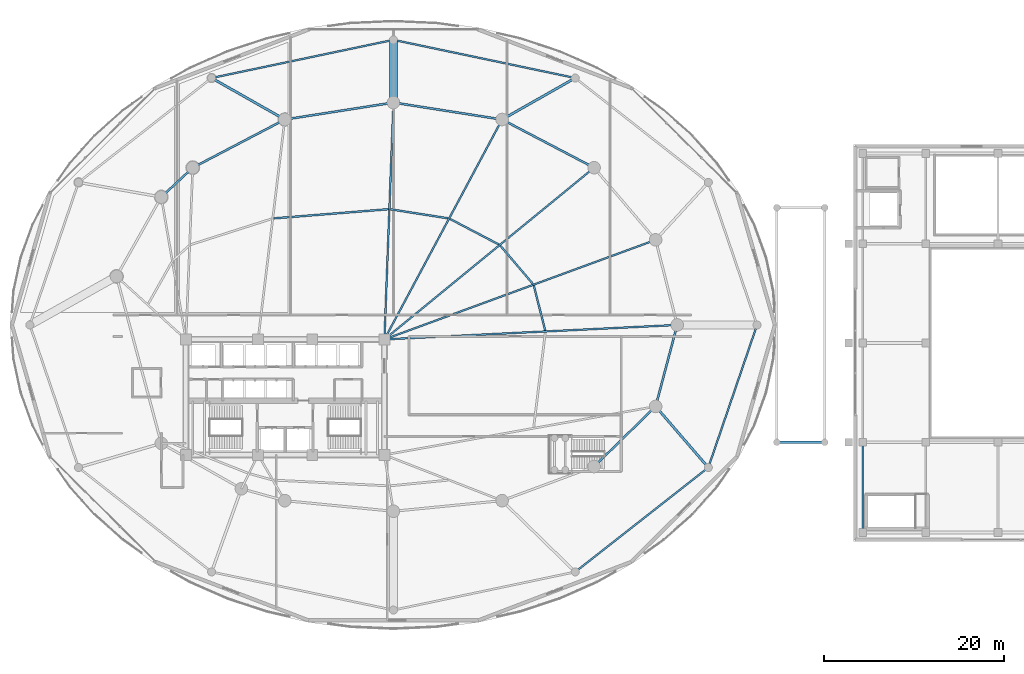
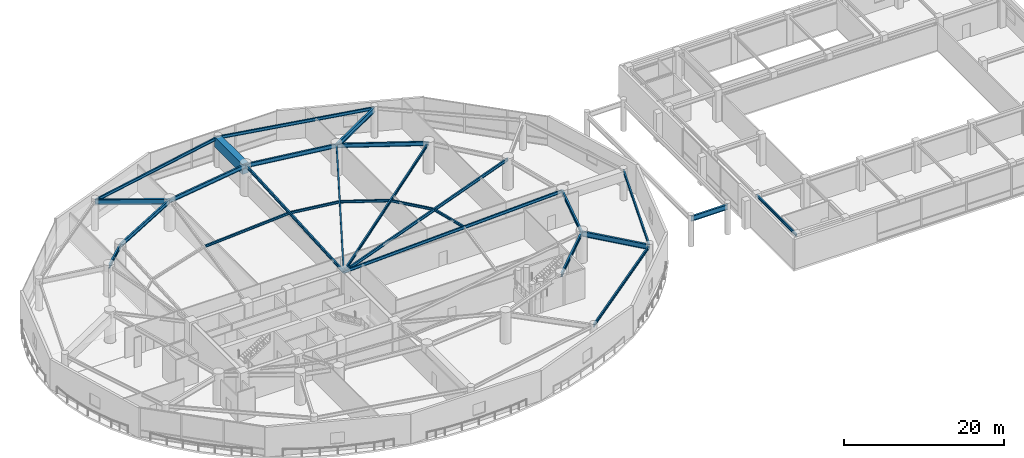
# One storey, part 10 of 36: 27 beams.
"""IFC4 building model written with IfcOpenShell, lengths in metres."""

from ifc_helpers import new_model, si_unit, direction, frame, origin, origin_2d, place, context, subcontext, project, spatial, rectangle, i_section, extrude, material, material_profile, profile_set, type_object, element, save


model = new_model("IFC4")

# Units and contexts
model_context = context("Model", 3, precision=1e-05, world=origin(), true_north=direction((0.0, 1.0)))
body_context = subcontext(model_context, "Body", "Model", "MODEL_VIEW")
ifc_project = project(units=[si_unit("LENGTHUNIT", "METRE"), si_unit("AREAUNIT", "SQUARE_METRE"), si_unit("VOLUMEUNIT", "CUBIC_METRE"), si_unit("PLANEANGLEUNIT", "RADIAN"), si_unit("MASSUNIT", "GRAM", prefix="KILO")], contexts=[model_context])

# Site, building, storey
site_placement = place(None, origin())
site = spatial("IfcSite", under=ifc_project, at=site_placement, CompositionType="ELEMENT")
building_placement = place(site_placement, origin())
building = spatial("IfcBuilding", under=site, at=building_placement, Name="Kazevale Care Tower and Concert Hall", CompositionType="ELEMENT")
storey_placement = place(building_placement, frame((0.0, 0.0, 14.39990234375)))
storey = spatial("IfcBuildingStorey", under=building, at=storey_placement, Name="L03", CompositionType="ELEMENT", Elevation=14.39990234375)

# Beams
ifc_material_1 = material(Name="Steel ASTM A572 Gr 50", Category="steel")
ifc_material_profile_1 = material_profile(ifc_material_1, i_section(OverallWidth=0.180908203125, OverallDepth=0.4169921875, WebThickness=0.010986328125, FlangeThickness=0.018310546875, at=origin_2d()), Name="W410x85")
ifc_profile_set_1 = profile_set([ifc_material_profile_1], Name="Steel ASTM A572 Gr 50")
beam_type_1 = type_object("IfcBeamType", Name="Concert Hall Secondary Beam W410x85", PredefinedType="BEAM", material=ifc_profile_set_1)
beam_1_placement = place(storey_placement, frame((97.0, 15.0, 4.3115234375), z_axis=(0.0, 1.0, 0.0), x_axis=(-1.0, 0.0, 0.0)))
element("IfcBeam", 1, at=beam_1_placement, inside=storey, type_object=beam_type_1, Name="beam:L03:hy:97_15", PredefinedType="BEAM", context=body_context, shape_type="SweptSolid", body=[
    extrude(i_section(OverallWidth=0.180908203125, OverallDepth=0.4169921875, WebThickness=0.010986328125, FlangeThickness=0.018310546875, at=origin_2d()), origin(), (0.0, 0.0, 1.0), 10.0),
])
ifc_material_profile_2 = material_profile(ifc_material_1, i_section(OverallWidth=0.194091796875, OverallDepth=0.468994140625, WebThickness=0.0126953125, FlangeThickness=0.0205078125, at=origin_2d()), Name="W460x106")
ifc_profile_set_2 = profile_set([ifc_material_profile_2], Name="Steel ASTM A572 Gr 50")
beam_type_2 = type_object("IfcBeamType", Name="Podium Floor Beam W460x106", PredefinedType="BEAM", material=ifc_profile_set_2)
for number, where, z_axis, x_axis, name in (
    (2, (65.14990234375, 65.3701171875, 4.28564453125), (-0.978668137727, 0.205447502293, 0.0), (-0.205447502293, -0.978668137727, 0.0), "beam:L03:podring:03"),
    (3, (45.0, 69.60009765625, 4.28564453125), (-0.978668137727, -0.205447502293, 0.0), (0.205447502293, -0.978668137727, 0.0), "beam:L03:podring:04"),
):
    element("IfcBeam", number, at=place(storey_placement, frame(where, z_axis=z_axis, x_axis=x_axis)), inside=storey, type_object=beam_type_2, Name=name, PredefinedType="BEAM", context=body_context, shape_type="SweptSolid", body=[
        extrude(i_section(OverallWidth=0.194091796875, OverallDepth=0.468994140625, WebThickness=0.0126953125, FlangeThickness=0.0205078125, at=origin_2d()), origin(), (0.0, 0.0, 1.0), 20.589111328125),
    ])
beam_2_placement = place(storey_placement, frame((65.14990234375, 10.6298828125, 4.28564453125), z_axis=(0.786816091325, 0.617187522907, 0.0), x_axis=(-0.617187522907, 0.786816091325, 0.0)))
element("IfcBeam", 4, at=beam_2_placement, inside=storey, type_object=beam_type_2, Name="beam:L03:podring:11", PredefinedType="BEAM", context=body_context, shape_type="SweptSolid", body=[
    extrude(i_section(OverallWidth=0.194091796875, OverallDepth=0.468994140625, WebThickness=0.0126953125, FlangeThickness=0.0205078125, at=origin_2d()), origin(), (0.0, 0.0, 1.0), 18.746337890625),
])
beam_3_placement = place(storey_placement, frame((79.89990234375, 22.199951171875, 4.28564453125), z_axis=(0.323412440773, 0.946258100707, 0.0), x_axis=(-0.946258100707, 0.323412440773, 0.0)))
element("IfcBeam", 5, at=beam_3_placement, inside=storey, type_object=beam_type_2, Name="beam:L03:podring:12", PredefinedType="BEAM", context=body_context, shape_type="SweptSolid", body=[
    extrude(i_section(OverallWidth=0.194091796875, OverallDepth=0.468994140625, WebThickness=0.0126953125, FlangeThickness=0.0205078125, at=origin_2d()), origin(), (0.0, 0.0, 1.0), 16.697509765625),
])
ifc_material_profile_3 = material_profile(ifc_material_1, i_section(OverallWidth=0.26806640625, OverallDepth=0.77001953125, WebThickness=0.015625, FlangeThickness=0.025390625, at=origin_2d()), Name="W760x196")
ifc_profile_set_3 = profile_set([ifc_material_profile_3], Name="Steel ASTM A572 Gr 50")
beam_type_3 = type_object("IfcBeamType", Name="Podium Primary Girder W760x196", PredefinedType="BEAM", material=ifc_profile_set_3)
beam_4_placement = place(storey_placement, frame((87.5, 25.0, 4.085205078125), z_axis=(1.0, 0.0, 0.0), x_axis=(0.0, 1.0, 0.0)))
element("IfcBeam", 6, at=beam_4_placement, inside=storey, type_object=beam_type_3, Name="beam:L03:gbox:1", PredefinedType="BEAM", context=body_context, shape_type="SweptSolid", body=[
    extrude(i_section(OverallWidth=0.26806640625, OverallDepth=0.77001953125, WebThickness=0.015625, FlangeThickness=0.025390625, at=origin_2d()), origin(), (0.0, 0.0, 1.0), 5.300048828125),
])
for number, where, z_axis, x_axis, name in (
    (7, (57.0400390625, 60.77001953125, 4.135009765625), (0.869814698665, 0.493378546338, 0.0), (-0.493378546338, 0.869814698665, 0.0), "beam:L03:podrad:03"),
    (8, (32.9599609375, 60.77001953125, 4.135009765625), (-0.869814698665, 0.493378546338, 0.0), (-0.493378546338, -0.869814698665, 0.0), "beam:L03:podrad:05"),
):
    element("IfcBeam", number, at=place(storey_placement, frame(where, z_axis=z_axis, x_axis=x_axis)), inside=storey, type_object=beam_type_3, Name=name, PredefinedType="BEAM", context=body_context, shape_type="SweptSolid", body=[
        extrude(i_section(OverallWidth=0.26806640625, OverallDepth=0.77001953125, WebThickness=0.015625, FlangeThickness=0.025390625, at=origin_2d()), origin(), (0.0, 0.0, 1.0), 9.32373046875),
    ])
beam_5_placement = place(storey_placement, frame((74.06005859375, 28.969970703125, 4.135009765625), z_axis=(0.653171864392, -0.757209690618, 0.0), x_axis=(0.757209690618, 0.653171864392, 0.0)))
element("IfcBeam", 9, at=beam_5_placement, inside=storey, type_object=beam_type_3, Name="beam:L03:podrad:12", PredefinedType="BEAM", context=body_context, shape_type="SweptSolid", body=[
    extrude(i_section(OverallWidth=0.26806640625, OverallDepth=0.77001953125, WebThickness=0.015625, FlangeThickness=0.025390625, at=origin_2d()), origin(), (0.0, 0.0, 1.0), 8.940673828125),
])
ifc_material_2 = material(Name="Concrete C60", Category="concrete")
ifc_material_profile_4 = material_profile(ifc_material_2, rectangle(XDim=0.89990234375, YDim=1.5, at=origin_2d()), Name="RC-TG900x1500")
ifc_profile_set_4 = profile_set([ifc_material_profile_4], Name="Concrete C60")
beam_type_4 = type_object("IfcBeamType", Name="Podium Transfer Girder RC900x1500", PredefinedType="BEAM", material=ifc_profile_set_4)
beam_6_placement = place(storey_placement, frame((45.0, 62.64990234375, 3.77001953125), z_axis=(0.0, 1.0, 0.0), x_axis=(-1.0, 0.0, 0.0)))
element("IfcBeam", 10, at=beam_6_placement, inside=storey, type_object=beam_type_4, Name="beam:L03:podtg:2", PredefinedType="BEAM", context=body_context, shape_type="SweptSolid", body=[
    extrude(rectangle(XDim=0.89990234375, YDim=1.5, at=origin_2d()), origin(), (0.0, 0.0, 1.0), 6.9501953125),
])
ifc_material_profile_5 = material_profile(ifc_material_1, i_section(OverallWidth=0.19091796875, OverallDepth=0.4599609375, WebThickness=0.010009765625, FlangeThickness=0.01611328125, at=origin_2d()), Name="W460x82")
ifc_profile_set_5 = profile_set([ifc_material_profile_5], Name="Steel ASTM A572 Gr 50")
beam_type_5 = type_object("IfcBeamType", Name="Radial Floor Beam W460x82", PredefinedType="BEAM", material=ifc_profile_set_5)
beam_7_placement = place(storey_placement, frame((44.0, 36.39990234375, 4.2900390625), z_axis=(0.998786488782, 0.049249871327, 0.0), x_axis=(-0.049249871327, 0.998786488782, 0.0)))
element("IfcBeam", 11, at=beam_7_placement, inside=storey, type_object=beam_type_5, Name="beam:L03:rad:01", PredefinedType="BEAM", context=body_context, shape_type="SweptSolid", body=[
    extrude(i_section(OverallWidth=0.19091796875, OverallDepth=0.4599609375, WebThickness=0.010009765625, FlangeThickness=0.01611328125, at=origin_2d()), origin(), (0.0, 0.0, 1.0), 32.4892578125),
])
beam_8_placement = place(storey_placement, frame((44.0, 36.39990234375, 4.2900390625), z_axis=(0.938795458019, 0.34447509054, 0.0), x_axis=(-0.34447509054, 0.938795458019, 0.0)))
element("IfcBeam", 12, at=beam_8_placement, inside=storey, type_object=beam_type_5, Name="beam:L03:rad:02", PredefinedType="BEAM", context=body_context, shape_type="SweptSolid", body=[
    extrude(i_section(OverallWidth=0.19091796875, OverallDepth=0.4599609375, WebThickness=0.010009765625, FlangeThickness=0.01611328125, at=origin_2d()), origin(), (0.0, 0.0, 1.0), 32.019775390625),
])
beam_9_placement = place(storey_placement, frame((44.0, 36.39990234375, 4.2900390625), z_axis=(0.773704467398, 0.633546681097, 0.0), x_axis=(-0.633546681097, 0.773704467398, 0.0)))
element("IfcBeam", 13, at=beam_9_placement, inside=storey, type_object=beam_type_5, Name="beam:L03:rad:03", PredefinedType="BEAM", context=body_context, shape_type="SweptSolid", body=[
    extrude(i_section(OverallWidth=0.19091796875, OverallDepth=0.4599609375, WebThickness=0.010009765625, FlangeThickness=0.01611328125, at=origin_2d()), origin(), (0.0, 0.0, 1.0), 30.037353515625),
])
beam_10_placement = place(storey_placement, frame((44.0, 36.39990234375, 4.2900390625), z_axis=(0.471788966953, 0.88171150081, 0.0), x_axis=(-0.88171150081, 0.471788966953, 0.0)))
element("IfcBeam", 14, at=beam_10_placement, inside=storey, type_object=beam_type_5, Name="beam:L03:rad:04", PredefinedType="BEAM", context=body_context, shape_type="SweptSolid", body=[
    extrude(i_section(OverallWidth=0.19091796875, OverallDepth=0.4599609375, WebThickness=0.010009765625, FlangeThickness=0.01611328125, at=origin_2d()), origin(), (0.0, 0.0, 1.0), 27.6396484375),
])
beam_11_placement = place(storey_placement, frame((44.0, 36.39990234375, 4.2900390625), z_axis=(0.038067625343, 0.999275165258, 0.0), x_axis=(-0.999275165258, 0.038067625343, 0.0)))
element("IfcBeam", 15, at=beam_11_placement, inside=storey, type_object=beam_type_5, Name="beam:L03:rad:05", PredefinedType="BEAM", context=body_context, shape_type="SweptSolid", body=[
    extrude(i_section(OverallWidth=0.19091796875, OverallDepth=0.4599609375, WebThickness=0.010009765625, FlangeThickness=0.01611328125, at=origin_2d()), origin(), (0.0, 0.0, 1.0), 26.26904296875),
])
ifc_material_profile_6 = material_profile(ifc_material_1, i_section(OverallWidth=0.22900390625, OverallDepth=0.612060546875, WebThickness=0.011962890625, FlangeThickness=0.01953125, at=origin_2d()), Name="W610x125")
ifc_profile_set_6 = profile_set([ifc_material_profile_6], Name="Steel ASTM A572 Gr 50")
beam_type_6 = type_object("IfcBeamType", Name="Ring Spandrel Beam W610x125", PredefinedType="SPANDREL", material=ifc_profile_set_6)
beam_12_placement = place(storey_placement, frame((67.239990234375, 55.429931640625, 4.214111328125), z_axis=(-0.885929466679, 0.463819986708, 0.0), x_axis=(-0.463819986708, -0.885929466679, 0.0)))
element("IfcBeam", 16, at=beam_12_placement, inside=storey, type_object=beam_type_6, Name="beam:L03:ring:03", PredefinedType="SPANDREL", context=body_context, shape_type="SweptSolid", body=[
    extrude(i_section(OverallWidth=0.22900390625, OverallDepth=0.612060546875, WebThickness=0.011962890625, FlangeThickness=0.01953125, at=origin_2d()), origin(), (0.0, 0.0, 1.0), 11.51318359375),
])
for number, where, z_axis, x_axis, name in (
    (17, (57.0400390625, 60.77001953125, 4.214111328125), (-0.988029216561, 0.154266870134, 0.0), (-0.154266870134, -0.988029216561, 0.0), "beam:L03:ring:04"),
    (18, (45.0, 62.64990234375, 4.214111328125), (-0.988029216561, -0.154266870134, 0.0), (0.154266870134, -0.988029216561, 0.0), "beam:L03:ring:05"),
):
    element("IfcBeam", number, at=place(storey_placement, frame(where, z_axis=z_axis, x_axis=x_axis)), inside=storey, type_object=beam_type_6, Name=name, PredefinedType="SPANDREL", context=body_context, shape_type="SweptSolid", body=[
        extrude(i_section(OverallWidth=0.22900390625, OverallDepth=0.612060546875, WebThickness=0.011962890625, FlangeThickness=0.01953125, at=origin_2d()), origin(), (0.0, 0.0, 1.0), 12.18603515625),
    ])
beam_13_placement = place(storey_placement, frame((32.9599609375, 60.77001953125, 4.214111328125), z_axis=(-0.885929466679, -0.463819986708, 0.0), x_axis=(0.463819986708, -0.885929466679, 0.0)))
element("IfcBeam", 19, at=beam_13_placement, inside=storey, type_object=beam_type_6, Name="beam:L03:ring:06", PredefinedType="SPANDREL", context=body_context, shape_type="SweptSolid", body=[
    extrude(i_section(OverallWidth=0.22900390625, OverallDepth=0.612060546875, WebThickness=0.011962890625, FlangeThickness=0.01953125, at=origin_2d()), origin(), (0.0, 0.0, 1.0), 11.51318359375),
])
beam_14_placement = place(storey_placement, frame((22.760009765625, 55.429931640625, 4.214111328125), z_axis=(-0.731820896228, -0.681497010884, 0.0), x_axis=(0.681497010884, -0.731820896228, 0.0)))
element("IfcBeam", 20, at=beam_14_placement, inside=storey, type_object=beam_type_6, Name="beam:L03:ring:07", PredefinedType="SPANDREL", context=body_context, shape_type="SweptSolid", body=[
    extrude(i_section(OverallWidth=0.22900390625, OverallDepth=0.612060546875, WebThickness=0.011962890625, FlangeThickness=0.01953125, at=origin_2d()), origin(), (0.0, 0.0, 1.0), 4.768798828125),
])
beam_15_placement = place(storey_placement, frame((67.239990234375, 22.31005859375, 4.214111328125), z_axis=(0.715457453508, 0.698656304788, 0.0), x_axis=(-0.698656304788, 0.715457453508, 0.0)))
element("IfcBeam", 21, at=beam_15_placement, inside=storey, type_object=beam_type_6, Name="beam:L03:ring:15", PredefinedType="SPANDREL", context=body_context, shape_type="SweptSolid", body=[
    extrude(i_section(OverallWidth=0.22900390625, OverallDepth=0.612060546875, WebThickness=0.011962890625, FlangeThickness=0.01953125, at=origin_2d()), origin(), (0.0, 0.0, 1.0), 9.532470703125),
])
beam_16_placement = place(storey_placement, frame((74.06005859375, 28.969970703125, 4.214111328125), z_axis=(0.255851611973, 0.966716066201, 0.0), x_axis=(-0.966716066201, 0.255851611973, 0.0)))
element("IfcBeam", 22, at=beam_16_placement, inside=storey, type_object=beam_type_6, Name="beam:L03:ring:16", PredefinedType="SPANDREL", context=body_context, shape_type="SweptSolid", body=[
    extrude(i_section(OverallWidth=0.22900390625, OverallDepth=0.612060546875, WebThickness=0.011962890625, FlangeThickness=0.01953125, at=origin_2d()), origin(), (0.0, 0.0, 1.0), 9.3408203125),
])
ifc_material_profile_7 = material_profile(ifc_material_1, i_section(OverallWidth=0.205078125, OverallDepth=0.35400390625, WebThickness=0.009521484375, FlangeThickness=0.016845703125, at=origin_2d()), Name="W360x79")
ifc_profile_set_7 = profile_set([ifc_material_profile_7], Name="Steel ASTM A572 Gr 50")
beam_type_7 = type_object("IfcBeamType", Name="Secondary Floor Joist W360x79", PredefinedType="JOIST", material=ifc_profile_set_7)
beam_17_placement = place(storey_placement, frame((61.822021484375, 37.382080078125, 4.343017578125), z_axis=(-0.24568570229, 0.969349542575, 0.0), x_axis=(-0.969349542575, -0.24568570229, 0.0)))
element("IfcBeam", 23, at=beam_17_placement, inside=storey, type_object=beam_type_7, Name="beam:L03:joist:01", PredefinedType="JOIST", context=body_context, shape_type="SweptSolid", body=[
    extrude(i_section(OverallWidth=0.205078125, OverallDepth=0.35400390625, WebThickness=0.009521484375, FlangeThickness=0.016845703125, at=origin_2d()), origin(), (0.0, 0.0, 1.0), 5.140380859375),
])
beam_18_placement = place(storey_placement, frame((60.465087890625, 42.5458984375, 4.343017578125), z_axis=(-0.648685510477, 0.761056573783, 0.0), x_axis=(-0.761056573783, -0.648685510477, 0.0)))
element("IfcBeam", 24, at=beam_18_placement, inside=storey, type_object=beam_type_7, Name="beam:L03:joist:02", PredefinedType="JOIST", context=body_context, shape_type="SweptSolid", body=[
    extrude(i_section(OverallWidth=0.205078125, OverallDepth=0.35400390625, WebThickness=0.009521484375, FlangeThickness=0.016845703125, at=origin_2d()), origin(), (0.0, 0.0, 1.0), 5.57275390625),
])
beam_19_placement = place(storey_placement, frame((56.68896484375, 46.9150390625, 4.343017578125), z_axis=(-0.885921274797, 0.463835633454, 0.0), x_axis=(-0.463835633454, -0.885921274797, 0.0)))
element("IfcBeam", 25, at=beam_19_placement, inside=storey, type_object=beam_type_7, Name="beam:L03:joist:03", PredefinedType="JOIST", context=body_context, shape_type="SweptSolid", body=[
    extrude(i_section(OverallWidth=0.205078125, OverallDepth=0.35400390625, WebThickness=0.009521484375, FlangeThickness=0.016845703125, at=origin_2d()), origin(), (0.0, 0.0, 1.0), 6.12255859375),
])
beam_20_placement = place(storey_placement, frame((51.068115234375, 49.820068359375, 4.343017578125), z_axis=(-0.988040697826, 0.154193318403, 0.0), x_axis=(-0.154193318403, -0.988040697826, 0.0)))
element("IfcBeam", 26, at=beam_20_placement, inside=storey, type_object=beam_type_7, Name="beam:L03:joist:04", PredefinedType="JOIST", context=body_context, shape_type="SweptSolid", body=[
    extrude(i_section(OverallWidth=0.205078125, OverallDepth=0.35400390625, WebThickness=0.009521484375, FlangeThickness=0.016845703125, at=origin_2d()), origin(), (0.0, 0.0, 1.0), 6.49169921875),
])
beam_21_placement = place(storey_placement, frame((44.445068359375, 50.8291015625, 4.343017578125), z_axis=(-0.996814548036, -0.079754353015, 0.0), x_axis=(0.079754353015, -0.996814548036, 0.0)))
element("IfcBeam", 27, at=beam_21_placement, inside=storey, type_object=beam_type_7, Name="beam:L03:joist:05", PredefinedType="JOIST", context=body_context, shape_type="SweptSolid", body=[
    extrude(i_section(OverallWidth=0.205078125, OverallDepth=0.35400390625, WebThickness=0.009521484375, FlangeThickness=0.016845703125, at=origin_2d()), origin(), (0.0, 0.0, 1.0), 12.752685546875),
])

save(model, "model.ifc")
